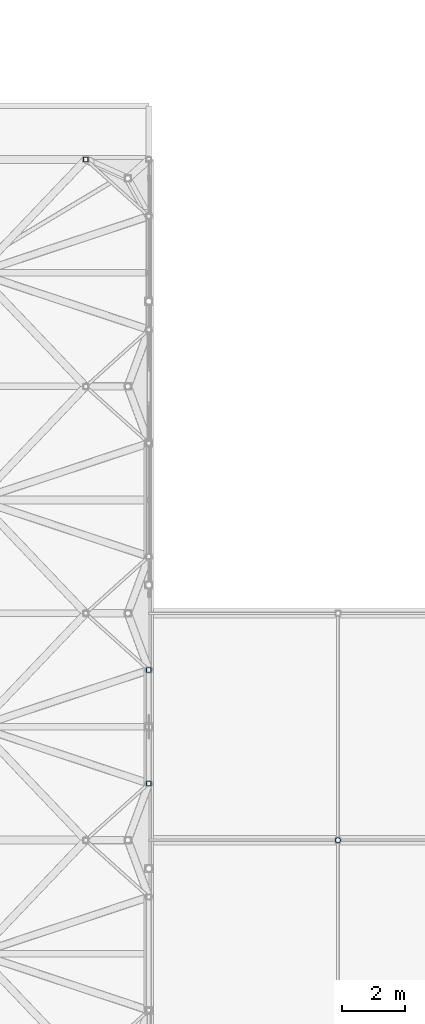
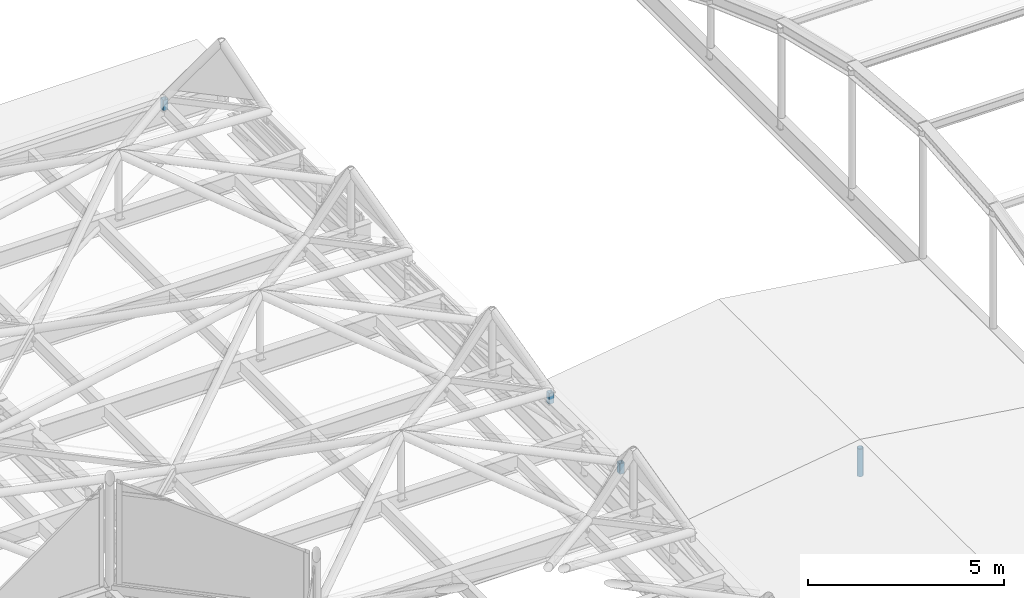
# One storey, part 207 of 239: 4 members.
"""IFC4 building model written with IfcOpenShell, lengths in metres."""

from ifc_helpers import new_model, si_unit, direction, frame, origin, origin_2d, place, context, subcontext, project, spatial, hollow_rectangle, hollow_circle, extrude, material, material_profile, profile_set, type_object, element, save


model = new_model("IFC4")

# Units and contexts
model_context = context("Model", 3, precision=1e-05, world=origin(), true_north=direction((0.0, 1.0)))
body_context = subcontext(model_context, "Body", "Model", "MODEL_VIEW")
ifc_project = project(units=[si_unit("LENGTHUNIT", "METRE"), si_unit("AREAUNIT", "SQUARE_METRE"), si_unit("VOLUMEUNIT", "CUBIC_METRE"), si_unit("PLANEANGLEUNIT", "RADIAN"), si_unit("MASSUNIT", "GRAM", prefix="KILO")], contexts=[model_context])

# Site, building, storey
site_placement = place(None, origin())
site = spatial("IfcSite", under=ifc_project, at=site_placement, CompositionType="ELEMENT")
building_placement = place(site_placement, origin())
building = spatial("IfcBuilding", under=site, at=building_placement, Name="Dunvalen Ferry Terminal", CompositionType="ELEMENT")
storey_placement = place(building_placement, frame((0.0, 0.0, 9.840087890625)))
storey = spatial("IfcBuildingStorey", under=building, at=storey_placement, Name="L02", CompositionType="ELEMENT", Elevation=9.840087890625)

# Members
ifc_material = material(Name="Steel S355", Category="steel")
ifc_material_profile_1 = material_profile(ifc_material, hollow_circle(Radius=0.084228515625, WallThickness=0.008056640625, at=origin_2d()), Name="Steel S355")
ifc_profile_set_1 = profile_set([ifc_material_profile_1], Name="Steel S355")
member_type_1 = type_object("IfcMemberType", Name="STR-MB-CHS168", PredefinedType="BRACE", material=ifc_profile_set_1)
member_placement = place(storey_placement, frame((102.0, 64.800048828125, -0.320068359375), z_axis=(0.0, 0.0, 1.0), x_axis=(1.0, 0.0, 0.0)))
element("IfcMember", 1, at=member_placement, inside=storey, type_object=member_type_1, Name="Central Covered Passage King Strut 02", PredefinedType="BRACE", context=body_context, shape_type="SweptSolid", body=[
    extrude(hollow_circle(Radius=0.084228515625, WallThickness=0.008056640625, at=origin_2d()), origin(), (0.0, 0.0, 1.0), 0.85986328125),
])
ifc_material_profile_2 = material_profile(ifc_material, hollow_rectangle(XDim=0.14990234375, YDim=0.14990234375, WallThickness=0.008056640625, InnerFilletRadius=0.008056640625, OuterFilletRadius=0.01611328125, at=origin_2d()), Name="Steel S355")
ifc_profile_set_2 = profile_set([ifc_material_profile_2], Name="Steel S355")
member_type_2 = type_object("IfcMemberType", Name="STR-MB-SHS150", PredefinedType="BRACE", material=ifc_profile_set_2)
for number, where, z_axis, x_axis, name in (
    (2, (96.0, 66.60009765625, 0.77001953125), (0.0, 0.0, 1.0), (1.0, 0.0, 0.0), "HEX-42 Rim Pedestal Strut 4"),
    (3, (96.0, 70.199951171875, 0.77001953125), (0.0, 0.0, 1.0), (1.0, 0.0, 0.0), "HEX-42 Rim Pedestal Strut 5"),
    (4, (94.0, 86.39990234375, 0.77001953125), (0.0, 0.0, 1.0), (1.0, 0.0, 0.0), "HEX-44 Rim Pedestal Strut 6"),
):
    element("IfcMember", number, at=place(storey_placement, frame(where, z_axis=z_axis, x_axis=x_axis)), inside=storey, type_object=member_type_2, Name=name, PredefinedType="BRACE", context=body_context, shape_type="SweptSolid", body=[
        extrude(hollow_rectangle(XDim=0.14990234375, YDim=0.14990234375, WallThickness=0.008056640625, InnerFilletRadius=0.008056640625, OuterFilletRadius=0.01611328125, at=origin_2d()), origin(), (0.0, 0.0, 1.0), 0.329833984375),
    ])

save(model, "model.ifc")
